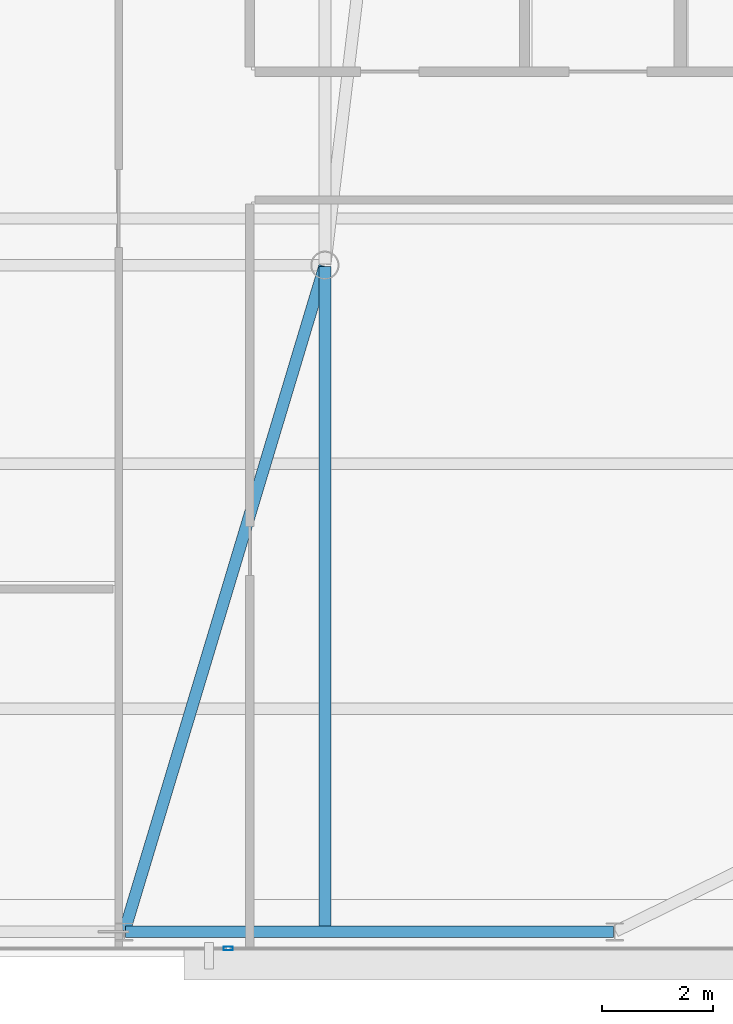
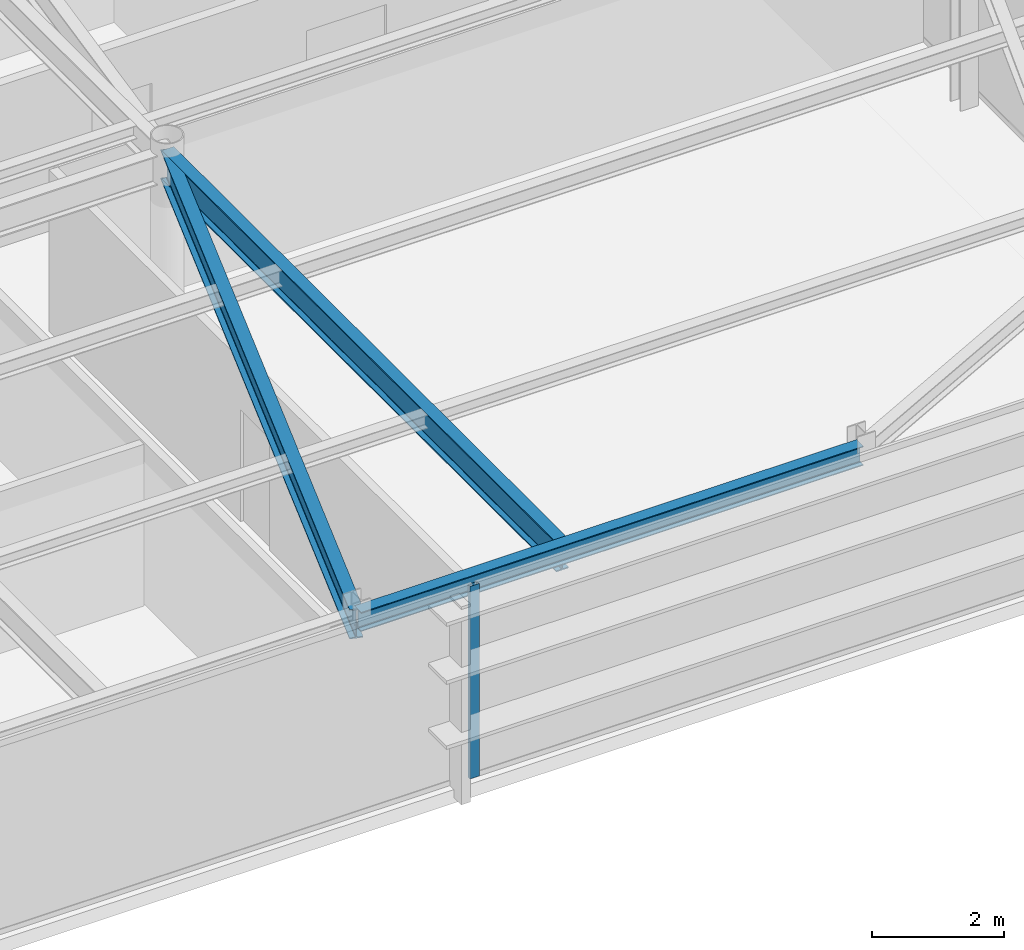
# One storey, part 8 of 24: 3 beams, 1 member, 1 element without a shape of its own.
"""IFC4 building model written with IfcOpenShell, lengths in metres."""

from ifc_helpers import new_model, si_unit, direction, frame, origin, origin_2d, place, context, subcontext, project, spatial, hollow_rectangle, i_section, extrude, source, transform, mapped, material, layer, layer_set, material_profile, profile_set, type_object, type_shapes, element, aggregate, save


model = new_model("IFC4")

# Units and contexts
model_context = context("Model", 3, precision=1e-05, world=origin(), true_north=direction((0.0, 1.0)))
body_context = subcontext(model_context, "Body", "Model", "MODEL_VIEW")
ifc_project = project(units=[si_unit("LENGTHUNIT", "METRE"), si_unit("AREAUNIT", "SQUARE_METRE"), si_unit("VOLUMEUNIT", "CUBIC_METRE"), si_unit("PLANEANGLEUNIT", "RADIAN"), si_unit("MASSUNIT", "GRAM", prefix="KILO")], contexts=[model_context])

# Site, building, storey
site_placement = place(None, origin())
site = spatial("IfcSite", under=ifc_project, at=site_placement, CompositionType="ELEMENT")
building_placement = place(site_placement, origin())
building = spatial("IfcBuilding", under=site, at=building_placement, Name="Varnel Quay Broadcast Tower", CompositionType="ELEMENT")
storey_placement = place(building_placement, frame((0.0, 0.0, 269.800048828125)))
storey = spatial("IfcBuildingStorey", under=building, at=storey_placement, Name="L67", CompositionType="ELEMENT", Elevation=269.800048828125)

# Beams
ifc_material_1 = material(Name="Structural Steel CSA G40.21 350W", Category="steel")
ifc_material_profile_1 = material_profile(ifc_material_1, i_section(OverallWidth=0.205078125, OverallDepth=0.35400390625, WebThickness=0.009521484375, FlangeThickness=0.016845703125, FilletRadius=0.012939453125, at=origin_2d()), Name="W360X79")
ifc_profile_set_1 = profile_set([ifc_material_profile_1], Name="Structural Steel CSA G40.21 350W")
beam_type_1 = type_object("IfcBeamType", Name="Beam_W360X79", PredefinedType="SPANDREL", material=ifc_profile_set_1)
shared_shape_1 = source(origin(), body_context, "Body", "SweptSolid", [
    extrude(i_section(OverallWidth=0.205078125, OverallDepth=0.35400390625, WebThickness=0.009521484375, FlangeThickness=0.016845703125, FilletRadius=0.012939453125, at=origin_2d()), origin(), (0.0, 0.0, 1.0), 8.760009765625),
])
type_shapes(beam_type_1, [shared_shape_1])
beam_1_placement = place(storey_placement, frame((38.419921875, 13.64990234375, 3.373046875), z_axis=(1.0, 0.0, 0.0), x_axis=(0.0, 1.0, 0.0)))
element("IfcBeam", 1, at=beam_1_placement, inside=storey, type_object=beam_type_1, Name="L67 South Spandrel TC-S3-TC-S4", PredefinedType="SPANDREL", context=body_context, shape_type="MappedRepresentation", body=[
    mapped(shared_shape_1, transform((0.0, 0.0, 0.0), x_axis=(1.0, 0.0, 0.0), y_axis=(0.0, 1.0, 0.0), z_axis=(0.0, 0.0, 1.0), scale=1.0)),
])
ifc_material_profile_2 = material_profile(ifc_material_1, i_section(OverallWidth=0.2119140625, OverallDepth=0.5439453125, WebThickness=0.01318359375, FlangeThickness=0.021240234375, FilletRadius=0.013916015625, at=origin_2d()), Name="W530X123")
ifc_profile_set_2 = profile_set([ifc_material_profile_2], Name="Structural Steel CSA G40.21 350W")
beam_type_2 = type_object("IfcBeamType", Name="Girder_W530X123", PredefinedType="BEAM", material=ifc_profile_set_2)
shared_shape_2 = source(origin(), body_context, "Body", "SweptSolid", [
    extrude(i_section(OverallWidth=0.2119140625, OverallDepth=0.5439453125, WebThickness=0.01318359375, FlangeThickness=0.021240234375, FilletRadius=0.013916015625, at=origin_2d()), origin(), (0.0, 0.0, 1.0), 12.449951171875),
])
beam_2_placement = place(storey_placement, frame((38.40576171875, 13.669189453125, 3.27783203125), z_axis=(0.28822390679, 0.957563042078, 0.0), x_axis=(-0.957563042078, 0.28822390679, 0.0)))
element("IfcBeam", 2, at=beam_2_placement, inside=storey, type_object=beam_type_2, Name="L67 Primary Girder TC-S3-IC-02", PredefinedType="BEAM", context=body_context, shape_type="MappedRepresentation", body=[
    mapped(shared_shape_2, transform((0.0, 0.0, 0.0), x_axis=(1.0, 0.0, 0.0), y_axis=(0.0, 1.0, 0.0), z_axis=(0.0, 0.0, 1.0), scale=1.0)),
])
shared_shape_3 = source(origin(), body_context, "Body", "SweptSolid", [
    extrude(i_section(OverallWidth=0.2119140625, OverallDepth=0.5439453125, WebThickness=0.01318359375, FlangeThickness=0.021240234375, FilletRadius=0.013916015625, at=origin_2d()), origin(), (0.0, 0.0, 1.0), 11.920166015625),
])
type_shapes(beam_type_2, [shared_shape_2, shared_shape_3])
beam_3_placement = place(storey_placement, frame((42.0, 13.669921875, 3.27783203125), z_axis=(0.0, 1.0, 0.0), x_axis=(-1.0, 0.0, 0.0)))
element("IfcBeam", 3, at=beam_3_placement, inside=storey, type_object=beam_type_2, Name="L67 N-S Joist Header IC-02S", PredefinedType="BEAM", context=body_context, shape_type="MappedRepresentation", body=[
    mapped(shared_shape_3, transform((0.0, 0.0, 0.0), x_axis=(1.0, 0.0, 0.0), y_axis=(0.0, 1.0, 0.0), z_axis=(0.0, 0.0, 1.0), scale=1.0)),
])

# Curtain wall, member
ifc_material_2 = material(Name="Anodised Bronze Aluminium 6063-T6", Category="aluminium")
ifc_layer = layer(ifc_material_2, 0.18994140625, Name="Anodised Bronze Aluminium 6063-T6")
ifc_layer_set = layer_set([ifc_layer], Name="Anodised Bronze Aluminium 6063-T6")
curtain_wall_type = type_object("IfcCurtainWallType", Name="CW_UpperTower", PredefinedType="NOTDEFINED", material=ifc_layer_set)
curtain_wall_placement = place(storey_placement, origin())
curtain_wall = element("IfcCurtainWall", 4, at=curtain_wall_placement, inside=storey, type_object=curtain_wall_type, Name="L67 South Unitised Curtain Wall 1", PredefinedType="NOTDEFINED")
ifc_material_profile_3 = material_profile(ifc_material_2, hollow_rectangle(XDim=0.06494140625, YDim=0.1650390625, WallThickness=0.00341796875, at=origin_2d()), Name="ALU65X165X3.5")
ifc_profile_set_3 = profile_set([ifc_material_profile_3], Name="Anodised Bronze Aluminium 6063-T6")
member_type = type_object("IfcMemberType", Name="Mull_CWS-03", PredefinedType="MULLION", material=ifc_profile_set_3)
shared_shape_4 = source(origin(), body_context, "Body", "SweptSolid", [
    extrude(hollow_rectangle(XDim=0.06494140625, YDim=0.1650390625, WallThickness=0.00341796875, at=origin_2d()), origin(), (0.0, 0.0, 1.0), 3.550048828125),
])
type_shapes(member_type, [shared_shape_4])
member_placement = place(storey_placement, frame((40.2666015625, 13.35009765625, 0.0), z_axis=(0.0, 0.0, 1.0), x_axis=(0.0, 1.0, 0.0)))
member = element("IfcMember", 5, at=member_placement, type_object=member_type, Name="CWS-03 mullion 3", PredefinedType="MULLION", context=body_context, shape_type="MappedRepresentation", body=[
    mapped(shared_shape_4, transform((0.0, 0.0, 0.0), x_axis=(1.0, 0.0, 0.0), y_axis=(0.0, 1.0, 0.0), z_axis=(0.0, 0.0, 1.0), scale=1.0)),
])
aggregate(curtain_wall, [member])

save(model, "model.ifc")
